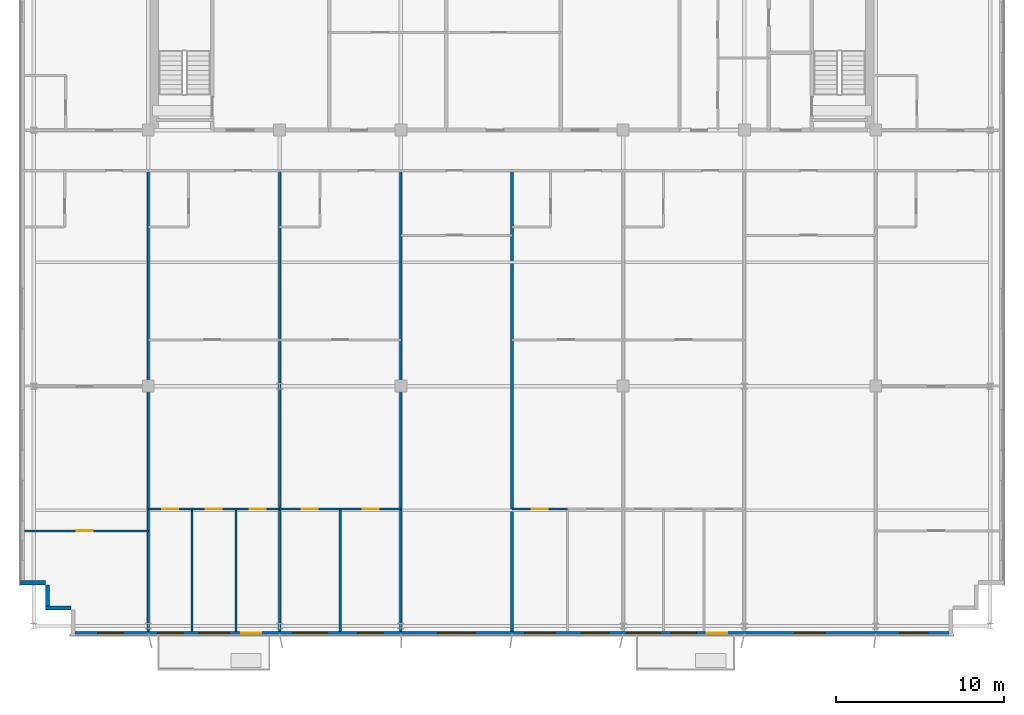
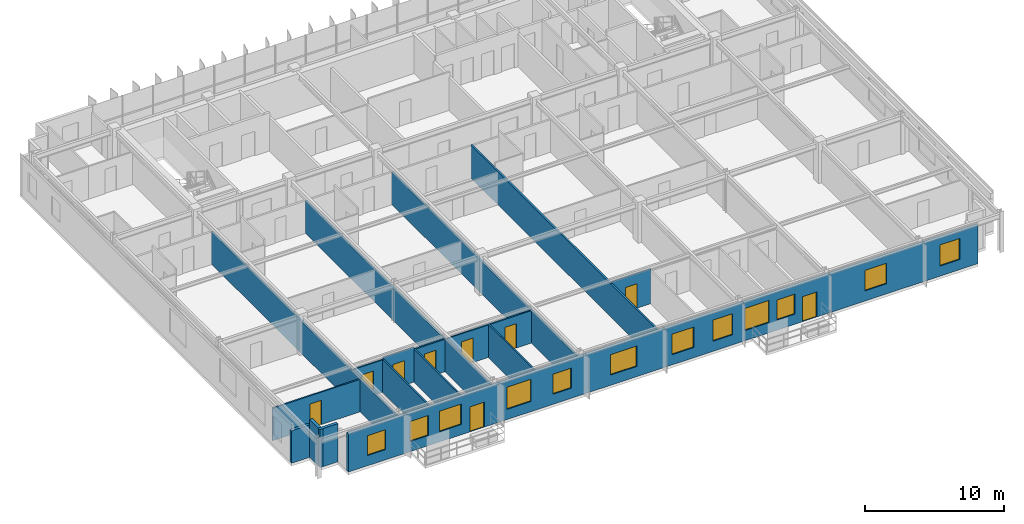
# One storey, part 16 of 23: 18 walls, 12 windows, 9 doors, 21 openings.
"""IFC4 building model written with IfcOpenShell, lengths in metres."""

from ifc_helpers import new_model, si_unit, direction, frame, frame_2d, origin, place, context, subcontext, project, spatial, rectangle, extrude, source, transform, mapped, material, layer, layer_set, type_object, element, fill, save


model = new_model("IFC4")

# Units and contexts
model_context = context("Model", 3, precision=1e-05, world=origin(), true_north=direction((0.0, 1.0)))
body_context = subcontext(model_context, "Body", "Model", "MODEL_VIEW")
ifc_project = project(units=[si_unit("LENGTHUNIT", "METRE"), si_unit("AREAUNIT", "SQUARE_METRE"), si_unit("VOLUMEUNIT", "CUBIC_METRE"), si_unit("PLANEANGLEUNIT", "RADIAN"), si_unit("MASSUNIT", "GRAM", prefix="KILO")], contexts=[model_context])

# Site, building, storey
site_placement = place(None, origin())
site = spatial("IfcSite", under=ifc_project, at=site_placement, CompositionType="ELEMENT")
building_placement = place(site_placement, origin())
building = spatial("IfcBuilding", under=site, at=building_placement, Name="Trelvane Seafront Commons", CompositionType="ELEMENT")
storey_placement = place(building_placement, frame((0.0, 0.0, 226.5)))
storey = spatial("IfcBuildingStorey", under=building, at=storey_placement, Name="L59", CompositionType="ELEMENT", Elevation=226.5)

# Walls
ifc_material_1 = material(Name="Precast concrete C40/50", Category="concrete")
ifc_layer_1 = layer(ifc_material_1, 0.239990234375, Name="ARCH-WALL-EXT240")
ifc_layer_set_1 = layer_set([ifc_layer_1], Name="Precast concrete C40/50")
wall_type_1 = type_object("IfcWallType", Name="ARCH-WALL-EXT240", PredefinedType="SOLIDWALL", material=ifc_layer_set_1)
for number, where, z_axis, x_axis, name in (
    (1, (11.0, 5.02001953125, 0.0), (0.0, 0.0, 1.0), (-1.0, 0.0, 0.0), "EW-L59-01185"),
    (2, (9.6201171875, 4.89990234375, 0.0), (0.0, 0.0, 1.0), (0.0, 1.0, 0.0), "EW-L59-01186"),
):
    element("IfcWall", number, at=place(storey_placement, frame(where, z_axis=z_axis, x_axis=x_axis)), inside=storey, type_object=wall_type_1, Name=name, PredefinedType="SOLIDWALL", context=body_context, shape_type="SweptSolid", body=[
        extrude(rectangle(XDim=1.5, YDim=0.239990234375, at=frame_2d((0.75, 0.0))), origin(), (0.0, 0.0, 1.0), 3.360107421875),
    ])
wall_1_placement = place(storey_placement, frame((9.5, 6.52001953125, 0.0), z_axis=(0.0, 0.0, 1.0), x_axis=(-1.0, 0.0, 0.0)))
element("IfcWall", 3, at=wall_1_placement, inside=storey, type_object=wall_type_1, Name="EW-L59-01187", PredefinedType="SOLIDWALL", context=body_context, shape_type="SweptSolid", body=[
    extrude(rectangle(XDim=1.5, YDim=0.239990234375, at=frame_2d((0.75, 0.0))), origin(), (0.0, 0.0, 1.0), 2.860107421875),
])

# Wall, openings, doors, windows
wall_2_placement = place(storey_placement, frame((63.39990234375, 3.52001953125, 0.0), z_axis=(0.0, 0.0, 1.0), x_axis=(-1.0, 0.0, 0.0)))
wall_2 = element("IfcWall", 4, at=wall_2_placement, inside=storey, type_object=wall_type_1, Name="EW-L59-01202", PredefinedType="SOLIDWALL", context=body_context, shape_type="SweptSolid", body=[
    extrude(rectangle(XDim=52.39990234375, YDim=0.239990234375, at=frame_2d((26.199951171875, 0.0))), origin(), (0.0, 0.0, 1.0), 3.360107421875),
])
opening_1_placement = place(wall_2_placement, frame((1.52001953125, 0.0, 0.89990234375)))
opening_1 = element("IfcOpeningElement", 5, at=opening_1_placement, cuts=wall_2, Name="Opening W07", PredefinedType="OPENING", context=body_context, shape_type="SweptSolid", body=[
    extrude(rectangle(XDim=1.64990234375, YDim=1.85009765625, at=frame_2d((0.824951171875, 0.925048828125))), frame((0.0, 0.1298828125, 0.0), z_axis=(0.0, -1.0, 0.0), x_axis=(1.0, 0.0, 0.0)), (0.0, 0.0, 1.0), 0.260009765625),
])
opening_2_placement = place(wall_2_placement, frame((7.60009765625, 0.0, 0.89990234375)))
opening_2 = element("IfcOpeningElement", 6, at=opening_2_placement, cuts=wall_2, Name="Opening W01", PredefinedType="OPENING", context=body_context, shape_type="SweptSolid", body=[
    extrude(rectangle(XDim=1.800048828125, YDim=1.800048828125, at=frame_2d((0.89990234375, 0.89990234375))), frame((0.0, 0.1298828125, 0.0), z_axis=(0.0, -1.0, 0.0), x_axis=(1.0, 0.0, 0.0)), (0.0, 0.0, 1.0), 0.260009765625),
])
opening_3_placement = place(wall_2_placement, frame((13.419921875, 0.0, 0.0)))
opening_3 = element("IfcOpeningElement", 7, at=opening_3_placement, cuts=wall_2, Name="Opening BD-L59-124", PredefinedType="OPENING", context=body_context, shape_type="SweptSolid", body=[
    extrude(rectangle(XDim=1.199951171875, YDim=2.199951171875, at=frame_2d((0.60009765625, 1.10009765625))), frame((0.0, 0.1298828125, 0.0), z_axis=(0.0, -1.0, 0.0), x_axis=(1.0, 0.0, 0.0)), (0.0, 0.0, 1.0), 0.260009765625),
])
opening_4_placement = place(wall_2_placement, frame((15.25, 0.0, 0.89990234375)))
opening_4 = element("IfcOpeningElement", 8, at=opening_4_placement, cuts=wall_2, Name="Opening W03", PredefinedType="OPENING", context=body_context, shape_type="SweptSolid", body=[
    extrude(rectangle(XDim=1.5, YDim=1.75, at=frame_2d((0.75, 0.875))), frame((0.0, 0.1298828125, 0.0), z_axis=(0.0, -1.0, 0.0), x_axis=(1.0, 0.0, 0.0)), (0.0, 0.0, 1.0), 0.260009765625),
])
opening_5_placement = place(wall_2_placement, frame((17.39990234375, 0.0, 0.89990234375)))
opening_5 = element("IfcOpeningElement", 9, at=opening_5_placement, cuts=wall_2, Name="Opening W06", PredefinedType="OPENING", context=body_context, shape_type="SweptSolid", body=[
    extrude(rectangle(XDim=2.0, YDim=1.949951171875, at=frame_2d((1.0, 0.97509765625))), frame((0.0, 0.1298828125, 0.0), z_axis=(0.0, -1.0, 0.0), x_axis=(1.0, 0.0, 0.0)), (0.0, 0.0, 1.0), 0.260009765625),
])
opening_6_placement = place(wall_2_placement, frame((20.425048828125, 0.0, 0.89990234375)))
opening_6 = element("IfcOpeningElement", 10, at=opening_6_placement, cuts=wall_2, Name="Opening W07", PredefinedType="OPENING", context=body_context, shape_type="SweptSolid", body=[
    extrude(rectangle(XDim=1.64990234375, YDim=1.85009765625, at=frame_2d((0.824951171875, 0.925048828125))), frame((0.0, 0.1298828125, 0.0), z_axis=(0.0, -1.0, 0.0), x_axis=(1.0, 0.0, 0.0)), (0.0, 0.0, 1.0), 0.260009765625),
])
opening_7_placement = place(wall_2_placement, frame((23.64990234375, 0.0, 0.89990234375)))
opening_7 = element("IfcOpeningElement", 11, at=opening_7_placement, cuts=wall_2, Name="Opening W01", PredefinedType="OPENING", context=body_context, shape_type="SweptSolid", body=[
    extrude(rectangle(XDim=1.800048828125, YDim=1.800048828125, at=frame_2d((0.89990234375, 0.89990234375))), frame((0.0, 0.1298828125, 0.0), z_axis=(0.0, -1.0, 0.0), x_axis=(1.0, 0.0, 0.0)), (0.0, 0.0, 1.0), 0.260009765625),
])
opening_8_placement = place(wall_2_placement, frame((28.39990234375, 0.0, 0.89990234375)))
opening_8 = element("IfcOpeningElement", 12, at=opening_8_placement, cuts=wall_2, Name="Opening W02", PredefinedType="OPENING", context=body_context, shape_type="SweptSolid", body=[
    extrude(rectangle(XDim=2.199951171875, YDim=1.800048828125, at=frame_2d((1.10009765625, 0.89990234375))), frame((0.0, 0.1298828125, 0.0), z_axis=(0.0, -1.0, 0.0), x_axis=(1.0, 0.0, 0.0)), (0.0, 0.0, 1.0), 0.260009765625),
])
opening_9_placement = place(wall_2_placement, frame((33.85009765625, 0.0, 0.89990234375)))
opening_9 = element("IfcOpeningElement", 13, at=opening_9_placement, cuts=wall_2, Name="Opening W03", PredefinedType="OPENING", context=body_context, shape_type="SweptSolid", body=[
    extrude(rectangle(XDim=1.5, YDim=1.75, at=frame_2d((0.75, 0.875))), frame((0.0, 0.1298828125, 0.0), z_axis=(0.0, -1.0, 0.0), x_axis=(1.0, 0.0, 0.0)), (0.0, 0.0, 1.0), 0.260009765625),
])
opening_10_placement = place(wall_2_placement, frame((37.199951171875, 0.0, 0.89990234375)))
opening_10 = element("IfcOpeningElement", 14, at=opening_10_placement, cuts=wall_2, Name="Opening W06", PredefinedType="OPENING", context=body_context, shape_type="SweptSolid", body=[
    extrude(rectangle(XDim=2.0, YDim=1.949951171875, at=frame_2d((1.0, 0.97509765625))), frame((0.0, 0.1298828125, 0.0), z_axis=(0.0, -1.0, 0.0), x_axis=(1.0, 0.0, 0.0)), (0.0, 0.0, 1.0), 0.260009765625),
])
opening_11_placement = place(wall_2_placement, frame((41.090087890625, 0.0, 0.0)))
opening_11 = element("IfcOpeningElement", 15, at=opening_11_placement, cuts=wall_2, Name="Opening BD-L59-125", PredefinedType="OPENING", context=body_context, shape_type="SweptSolid", body=[
    extrude(rectangle(XDim=1.199951171875, YDim=2.199951171875, at=frame_2d((0.60009765625, 1.10009765625))), frame((0.0, 0.1298828125, 0.0), z_axis=(0.0, -1.0, 0.0), x_axis=(1.0, 0.0, 0.0)), (0.0, 0.0, 1.0), 0.260009765625),
])
opening_12_placement = place(wall_2_placement, frame((43.0, 0.0, 0.89990234375)))
opening_12 = element("IfcOpeningElement", 16, at=opening_12_placement, cuts=wall_2, Name="Opening W01", PredefinedType="OPENING", context=body_context, shape_type="SweptSolid", body=[
    extrude(rectangle(XDim=1.800048828125, YDim=1.800048828125, at=frame_2d((0.89990234375, 0.89990234375))), frame((0.0, 0.1298828125, 0.0), z_axis=(0.0, -1.0, 0.0), x_axis=(1.0, 0.0, 0.0)), (0.0, 0.0, 1.0), 0.260009765625),
])
opening_13_placement = place(wall_2_placement, frame((45.75, 0.0, 0.89990234375)))
opening_13 = element("IfcOpeningElement", 17, at=opening_13_placement, cuts=wall_2, Name="Opening W03", PredefinedType="OPENING", context=body_context, shape_type="SweptSolid", body=[
    extrude(rectangle(XDim=1.5, YDim=1.75, at=frame_2d((0.75, 0.875))), frame((0.0, 0.1298828125, 0.0), z_axis=(0.0, -1.0, 0.0), x_axis=(1.0, 0.0, 0.0)), (0.0, 0.0, 1.0), 0.260009765625),
])
opening_14_placement = place(wall_2_placement, frame((49.304931640625, 0.0, 0.89990234375)))
opening_14 = element("IfcOpeningElement", 18, at=opening_14_placement, cuts=wall_2, Name="Opening W03", PredefinedType="OPENING", context=body_context, shape_type="SweptSolid", body=[
    extrude(rectangle(XDim=1.5, YDim=1.75, at=frame_2d((0.75, 0.875))), frame((0.0, 0.1298828125, 0.0), z_axis=(0.0, -1.0, 0.0), x_axis=(1.0, 0.0, 0.0)), (0.0, 0.0, 1.0), 0.260009765625),
])
ifc_material_2 = material(Name="Powder-coated aluminium frame", Category="aluminium")
door_type_1 = type_object("IfcDoorType", Name="ARCH-DR-BAL1200", OperationType="NOTDEFINED", PredefinedType="DOOR", material=ifc_material_2)
shared_shape_1 = source(origin(), body_context, "Body", "SweptSolid", [
    extrude(rectangle(XDim=1.199951171875, YDim=2.199951171875, at=frame_2d((0.60009765625, 1.10009765625))), frame((0.0, 0.02490234375, 0.0), z_axis=(0.0, -1.0, 0.0), x_axis=(1.0, 0.0, 0.0)), (0.0, 0.0, 1.0), 0.050048828125),
])
door_1_placement = place(opening_3_placement, origin())
door_1 = element("IfcDoor", 19, at=door_1_placement, inside=storey, type_object=door_type_1, Name="L59 Balcony Terrace Access Door", OperationType="SINGLE_SWING_LEFT", OverallHeight=2.199951171875, OverallWidth=1.199951171875, PredefinedType="DOOR", context=body_context, shape_type="MappedRepresentation", body=[
    mapped(shared_shape_1, transform((0.0, 0.0, 0.0), x_axis=(1.0, 0.0, 0.0), y_axis=(0.0, 1.0, 0.0), z_axis=(0.0, 0.0, 1.0), scale=1.0)),
])
fill(opening_3, door_1)
door_2_placement = place(opening_11_placement, origin())
door_2 = element("IfcDoor", 20, at=door_2_placement, inside=storey, type_object=door_type_1, Name="L59 Balcony Terrace Access Door", OperationType="SINGLE_SWING_LEFT", OverallHeight=2.199951171875, OverallWidth=1.199951171875, PredefinedType="DOOR", context=body_context, shape_type="MappedRepresentation", body=[
    mapped(shared_shape_1, transform((0.0, 0.0, 0.0), x_axis=(1.0, 0.0, 0.0), y_axis=(0.0, 1.0, 0.0), z_axis=(0.0, 0.0, 1.0), scale=1.0)),
])
fill(opening_11, door_2)
ifc_material_3 = material(Name="Low-E coastal double glazing", Category="glass")
window_type_1 = type_object("IfcWindowType", Name="ARCH-WIN-W02", PartitioningType="SINGLE_PANEL", PredefinedType="WINDOW", material=ifc_material_3)
shared_shape_2 = source(origin(), body_context, "Body", "SweptSolid", [
    extrude(rectangle(XDim=2.199951171875, YDim=1.800048828125, at=frame_2d((1.10009765625, 0.89990234375))), frame((0.0, 0.030029296875, 0.0), z_axis=(0.0, -1.0, 0.0), x_axis=(1.0, 0.0, 0.0)), (0.0, 0.0, 1.0), 0.06005859375),
])
window_1_placement = place(opening_8_placement, origin())
window_1 = element("IfcWindow", 21, at=window_1_placement, inside=storey, type_object=window_type_1, Name="WIN-L59-01457", OverallHeight=1.800048828125, OverallWidth=2.199951171875, PartitioningType="SINGLE_PANEL", PredefinedType="WINDOW", context=body_context, shape_type="MappedRepresentation", body=[
    mapped(shared_shape_2, transform((0.0, 0.0, 0.0), x_axis=(1.0, 0.0, 0.0), y_axis=(0.0, 1.0, 0.0), z_axis=(0.0, 0.0, 1.0), scale=1.0)),
])
fill(opening_8, window_1)
window_type_2 = type_object("IfcWindowType", Name="ARCH-WIN-W03", PartitioningType="SINGLE_PANEL", PredefinedType="WINDOW", material=ifc_material_3)
shared_shape_3 = source(origin(), body_context, "Body", "SweptSolid", [
    extrude(rectangle(XDim=1.5, YDim=1.75, at=frame_2d((0.75, 0.875))), frame((0.0, 0.030029296875, 0.0), z_axis=(0.0, -1.0, 0.0), x_axis=(1.0, 0.0, 0.0)), (0.0, 0.0, 1.0), 0.06005859375),
])
window_2_placement = place(opening_4_placement, origin())
window_2 = element("IfcWindow", 22, at=window_2_placement, inside=storey, type_object=window_type_2, Name="WIN-L59-01453", OverallHeight=1.75, OverallWidth=1.5, PartitioningType="SINGLE_PANEL", PredefinedType="WINDOW", context=body_context, shape_type="MappedRepresentation", body=[
    mapped(shared_shape_3, transform((0.0, 0.0, 0.0), x_axis=(1.0, 0.0, 0.0), y_axis=(0.0, 1.0, 0.0), z_axis=(0.0, 0.0, 1.0), scale=1.0)),
])
fill(opening_4, window_2)
window_3_placement = place(opening_9_placement, origin())
window_3 = element("IfcWindow", 23, at=window_3_placement, inside=storey, type_object=window_type_2, Name="WIN-L59-01458", OverallHeight=1.75, OverallWidth=1.5, PartitioningType="SINGLE_PANEL", PredefinedType="WINDOW", context=body_context, shape_type="MappedRepresentation", body=[
    mapped(shared_shape_3, transform((0.0, 0.0, 0.0), x_axis=(1.0, 0.0, 0.0), y_axis=(0.0, 1.0, 0.0), z_axis=(0.0, 0.0, 1.0), scale=1.0)),
])
fill(opening_9, window_3)
window_4_placement = place(opening_13_placement, origin())
window_4 = element("IfcWindow", 24, at=window_4_placement, inside=storey, type_object=window_type_2, Name="WIN-L59-01461", OverallHeight=1.75, OverallWidth=1.5, PartitioningType="SINGLE_PANEL", PredefinedType="WINDOW", context=body_context, shape_type="MappedRepresentation", body=[
    mapped(shared_shape_3, transform((0.0, 0.0, 0.0), x_axis=(1.0, 0.0, 0.0), y_axis=(0.0, 1.0, 0.0), z_axis=(0.0, 0.0, 1.0), scale=1.0)),
])
fill(opening_13, window_4)
window_5_placement = place(opening_14_placement, origin())
window_5 = element("IfcWindow", 25, at=window_5_placement, inside=storey, type_object=window_type_2, Name="WIN-L59-01462", OverallHeight=1.75, OverallWidth=1.5, PartitioningType="SINGLE_PANEL", PredefinedType="WINDOW", context=body_context, shape_type="MappedRepresentation", body=[
    mapped(shared_shape_3, transform((0.0, 0.0, 0.0), x_axis=(1.0, 0.0, 0.0), y_axis=(0.0, 1.0, 0.0), z_axis=(0.0, 0.0, 1.0), scale=1.0)),
])
fill(opening_14, window_5)
window_type_3 = type_object("IfcWindowType", Name="ARCH-WIN-W06", PartitioningType="SINGLE_PANEL", PredefinedType="WINDOW", material=ifc_material_3)
shared_shape_4 = source(origin(), body_context, "Body", "SweptSolid", [
    extrude(rectangle(XDim=2.0, YDim=1.949951171875, at=frame_2d((1.0, 0.97509765625))), frame((0.0, 0.030029296875, 0.0), z_axis=(0.0, -1.0, 0.0), x_axis=(1.0, 0.0, 0.0)), (0.0, 0.0, 1.0), 0.06005859375),
])
window_6_placement = place(opening_5_placement, origin())
window_6 = element("IfcWindow", 26, at=window_6_placement, inside=storey, type_object=window_type_3, Name="WIN-L59-01454", OverallHeight=1.949951171875, OverallWidth=2.0, PartitioningType="SINGLE_PANEL", PredefinedType="WINDOW", context=body_context, shape_type="MappedRepresentation", body=[
    mapped(shared_shape_4, transform((0.0, 0.0, 0.0), x_axis=(1.0, 0.0, 0.0), y_axis=(0.0, 1.0, 0.0), z_axis=(0.0, 0.0, 1.0), scale=1.0)),
])
fill(opening_5, window_6)
window_7_placement = place(opening_10_placement, origin())
window_7 = element("IfcWindow", 27, at=window_7_placement, inside=storey, type_object=window_type_3, Name="WIN-L59-01459", OverallHeight=1.949951171875, OverallWidth=2.0, PartitioningType="SINGLE_PANEL", PredefinedType="WINDOW", context=body_context, shape_type="MappedRepresentation", body=[
    mapped(shared_shape_4, transform((0.0, 0.0, 0.0), x_axis=(1.0, 0.0, 0.0), y_axis=(0.0, 1.0, 0.0), z_axis=(0.0, 0.0, 1.0), scale=1.0)),
])
fill(opening_10, window_7)
window_type_4 = type_object("IfcWindowType", Name="ARCH-WIN-W01", PartitioningType="SINGLE_PANEL", PredefinedType="WINDOW", material=ifc_material_3)
shared_shape_5 = source(origin(), body_context, "Body", "SweptSolid", [
    extrude(rectangle(XDim=1.800048828125, YDim=1.800048828125, at=frame_2d((0.89990234375, 0.89990234375))), frame((0.0, 0.030029296875, 0.0), z_axis=(0.0, -1.0, 0.0), x_axis=(1.0, 0.0, 0.0)), (0.0, 0.0, 1.0), 0.06005859375),
])
window_8_placement = place(opening_2_placement, origin())
window_8 = element("IfcWindow", 28, at=window_8_placement, inside=storey, type_object=window_type_4, Name="WIN-L59-01452", OverallHeight=1.800048828125, OverallWidth=1.800048828125, PartitioningType="SINGLE_PANEL", PredefinedType="WINDOW", context=body_context, shape_type="MappedRepresentation", body=[
    mapped(shared_shape_5, transform((0.0, 0.0, 0.0), x_axis=(1.0, 0.0, 0.0), y_axis=(0.0, 1.0, 0.0), z_axis=(0.0, 0.0, 1.0), scale=1.0)),
])
fill(opening_2, window_8)
window_9_placement = place(opening_7_placement, origin())
window_9 = element("IfcWindow", 29, at=window_9_placement, inside=storey, type_object=window_type_4, Name="WIN-L59-01456", OverallHeight=1.800048828125, OverallWidth=1.800048828125, PartitioningType="SINGLE_PANEL", PredefinedType="WINDOW", context=body_context, shape_type="MappedRepresentation", body=[
    mapped(shared_shape_5, transform((0.0, 0.0, 0.0), x_axis=(1.0, 0.0, 0.0), y_axis=(0.0, 1.0, 0.0), z_axis=(0.0, 0.0, 1.0), scale=1.0)),
])
fill(opening_7, window_9)
window_10_placement = place(opening_12_placement, origin())
window_10 = element("IfcWindow", 30, at=window_10_placement, inside=storey, type_object=window_type_4, Name="WIN-L59-01460", OverallHeight=1.800048828125, OverallWidth=1.800048828125, PartitioningType="SINGLE_PANEL", PredefinedType="WINDOW", context=body_context, shape_type="MappedRepresentation", body=[
    mapped(shared_shape_5, transform((0.0, 0.0, 0.0), x_axis=(1.0, 0.0, 0.0), y_axis=(0.0, 1.0, 0.0), z_axis=(0.0, 0.0, 1.0), scale=1.0)),
])
fill(opening_12, window_10)
window_type_5 = type_object("IfcWindowType", Name="ARCH-WIN-W07", PartitioningType="SINGLE_PANEL", PredefinedType="WINDOW", material=ifc_material_3)
shared_shape_6 = source(origin(), body_context, "Body", "SweptSolid", [
    extrude(rectangle(XDim=1.64990234375, YDim=1.85009765625, at=frame_2d((0.824951171875, 0.925048828125))), frame((0.0, 0.030029296875, 0.0), z_axis=(0.0, -1.0, 0.0), x_axis=(1.0, 0.0, 0.0)), (0.0, 0.0, 1.0), 0.06005859375),
])
window_11_placement = place(opening_1_placement, origin())
window_11 = element("IfcWindow", 31, at=window_11_placement, inside=storey, type_object=window_type_5, Name="WIN-L59-01451", OverallHeight=1.85009765625, OverallWidth=1.64990234375, PartitioningType="SINGLE_PANEL", PredefinedType="WINDOW", context=body_context, shape_type="MappedRepresentation", body=[
    mapped(shared_shape_6, transform((0.0, 0.0, 0.0), x_axis=(1.0, 0.0, 0.0), y_axis=(0.0, 1.0, 0.0), z_axis=(0.0, 0.0, 1.0), scale=1.0)),
])
fill(opening_1, window_11)
window_12_placement = place(opening_6_placement, origin())
window_12 = element("IfcWindow", 32, at=window_12_placement, inside=storey, type_object=window_type_5, Name="WIN-L59-01455", OverallHeight=1.85009765625, OverallWidth=1.64990234375, PartitioningType="SINGLE_PANEL", PredefinedType="WINDOW", context=body_context, shape_type="MappedRepresentation", body=[
    mapped(shared_shape_6, transform((0.0, 0.0, 0.0), x_axis=(1.0, 0.0, 0.0), y_axis=(0.0, 1.0, 0.0), z_axis=(0.0, 0.0, 1.0), scale=1.0)),
])
fill(opening_6, window_12)

# Wall, opening, door
ifc_material_4 = material(Name="Gypsum Drywall Acoustic Partition")
ifc_layer_2 = layer(ifc_material_4, 0.1201171875, Name="ARCH-WALL-PART120")
ifc_layer_set_2 = layer_set([ifc_layer_2], Name="Gypsum Drywall Acoustic Partition")
wall_type_2 = type_object("IfcWallType", Name="ARCH-WALL-PART120", PredefinedType="PARTITIONING", material=ifc_layer_set_2)
wall_3_placement = place(storey_placement, frame((8.239990234375, 9.60009765625, 0.0), z_axis=(0.0, 0.0, 1.0), x_axis=(1.0, 0.0, 0.0)))
wall_3 = element("IfcWall", 33, at=wall_3_placement, inside=storey, type_object=wall_type_2, Name="W-L59-U1-YM-1-061", PredefinedType="PARTITIONING", context=body_context, shape_type="SweptSolid", body=[
    extrude(rectangle(XDim=7.360107421875, YDim=0.1201171875, at=frame_2d((3.68017578125, 0.0))), origin(), (0.0, 0.0, 1.0), 2.860107421875),
])
opening_15_placement = place(wall_3_placement, frame((3.114013671875, 0.0, 0.0)))
opening_15 = element("IfcOpeningElement", 34, at=opening_15_placement, cuts=wall_3, Name="Opening D-L59-36", PredefinedType="OPENING", context=body_context, shape_type="SweptSolid", body=[
    extrude(rectangle(XDim=0.949951171875, YDim=2.14990234375, at=frame_2d((0.47509765625, 1.074951171875))), frame((0.0, 0.070068359375, 0.0), z_axis=(0.0, -1.0, 0.0), x_axis=(1.0, 0.0, 0.0)), (0.0, 0.0, 1.0), 0.14013671875),
])
ifc_material_5 = material(Name="Acoustic timber door leaf", Category="wood")
door_type_2 = type_object("IfcDoorType", Name="ARCH-DR-INT950", OperationType="NOTDEFINED", PredefinedType="DOOR", material=ifc_material_5)
shared_shape_7 = source(origin(), body_context, "Body", "SweptSolid", [
    extrude(rectangle(XDim=0.949951171875, YDim=2.14990234375, at=frame_2d((0.47509765625, 1.074951171875))), frame((0.0, 0.02490234375, 0.0), z_axis=(0.0, -1.0, 0.0), x_axis=(1.0, 0.0, 0.0)), (0.0, 0.0, 1.0), 0.050048828125),
])
door_3_placement = place(opening_15_placement, origin())
door_3 = element("IfcDoor", 35, at=door_3_placement, inside=storey, type_object=door_type_2, Name="L59 Door 36", OperationType="SINGLE_SWING_RIGHT", OverallHeight=2.14990234375, OverallWidth=0.949951171875, PredefinedType="DOOR", context=body_context, shape_type="MappedRepresentation", body=[
    mapped(shared_shape_7, transform((0.0, 0.0, 0.0), x_axis=(1.0, 0.0, 0.0), y_axis=(0.0, 1.0, 0.0), z_axis=(0.0, 0.0, 1.0), scale=1.0)),
])
fill(opening_15, door_3)

wall_4_placement = place(storey_placement, frame((15.60009765625, 10.89990234375, 0.0), z_axis=(0.0, 0.0, 1.0), x_axis=(1.0, 0.0, 0.0)))
wall_4 = element("IfcWall", 36, at=wall_4_placement, inside=storey, type_object=wall_type_2, Name="W-L59-U2-YM-1-066", PredefinedType="PARTITIONING", context=body_context, shape_type="SweptSolid", body=[
    extrude(rectangle(XDim=2.599853515625, YDim=0.1201171875, at=frame_2d((1.2998046875, 0.0))), origin(), (0.0, 0.0, 1.0), 2.860107421875),
])
opening_16_placement = place(wall_4_placement, frame((0.824951171875, 0.0, 0.0)))
opening_16 = element("IfcOpeningElement", 37, at=opening_16_placement, cuts=wall_4, Name="Opening D-L59-40", PredefinedType="OPENING", context=body_context, shape_type="SweptSolid", body=[
    extrude(rectangle(XDim=0.949951171875, YDim=2.14990234375, at=frame_2d((0.47509765625, 1.074951171875))), frame((0.0, 0.070068359375, 0.0), z_axis=(0.0, -1.0, 0.0), x_axis=(1.0, 0.0, 0.0)), (0.0, 0.0, 1.0), 0.14013671875),
])
door_4_placement = place(opening_16_placement, origin())
door_4 = element("IfcDoor", 38, at=door_4_placement, inside=storey, type_object=door_type_2, Name="L59 Door 40", OperationType="SINGLE_SWING_RIGHT", OverallHeight=2.14990234375, OverallWidth=0.949951171875, PredefinedType="DOOR", context=body_context, shape_type="MappedRepresentation", body=[
    mapped(shared_shape_7, transform((0.0, 0.0, 0.0), x_axis=(1.0, 0.0, 0.0), y_axis=(0.0, 1.0, 0.0), z_axis=(0.0, 0.0, 1.0), scale=1.0)),
])
fill(opening_16, door_4)

wall_5_placement = place(storey_placement, frame((18.199951171875, 10.89990234375, 0.0), z_axis=(0.0, 0.0, 1.0), x_axis=(1.0, 0.0, 0.0)))
wall_5 = element("IfcWall", 39, at=wall_5_placement, inside=storey, type_object=wall_type_2, Name="W-L59-U2-YM-2-067", PredefinedType="PARTITIONING", context=body_context, shape_type="SweptSolid", body=[
    extrude(rectangle(XDim=2.60009765625, YDim=0.1201171875, at=frame_2d((1.300048828125, 0.0))), origin(), (0.0, 0.0, 1.0), 3.06005859375),
])
opening_17_placement = place(wall_5_placement, frame((0.824951171875, 0.0, 0.0)))
opening_17 = element("IfcOpeningElement", 40, at=opening_17_placement, cuts=wall_5, Name="Opening D-L59-41", PredefinedType="OPENING", context=body_context, shape_type="SweptSolid", body=[
    extrude(rectangle(XDim=0.949951171875, YDim=2.14990234375, at=frame_2d((0.47509765625, 1.074951171875))), frame((0.0, 0.070068359375, 0.0), z_axis=(0.0, -1.0, 0.0), x_axis=(1.0, 0.0, 0.0)), (0.0, 0.0, 1.0), 0.14013671875),
])
door_5_placement = place(opening_17_placement, origin())
door_5 = element("IfcDoor", 41, at=door_5_placement, inside=storey, type_object=door_type_2, Name="L59 Door 41", OperationType="SINGLE_SWING_LEFT", OverallHeight=2.14990234375, OverallWidth=0.949951171875, PredefinedType="DOOR", context=body_context, shape_type="MappedRepresentation", body=[
    mapped(shared_shape_7, transform((0.0, 0.0, 0.0), x_axis=(1.0, 0.0, 0.0), y_axis=(0.0, 1.0, 0.0), z_axis=(0.0, 0.0, 1.0), scale=1.0)),
])
fill(opening_17, door_5)

# Wall
wall_6_placement = place(storey_placement, frame((18.199951171875, 3.625, 0.0), z_axis=(0.0, 0.0, 1.0), x_axis=(0.0, 1.0, 0.0)))
element("IfcWall", 42, at=wall_6_placement, inside=storey, type_object=wall_type_2, Name="W-L59-U2-BDV-1-068", PredefinedType="PARTITIONING", context=body_context, shape_type="SweptSolid", body=[
    extrude(rectangle(XDim=7.27490234375, YDim=0.1201171875, at=frame_2d((3.637451171875, 0.0))), origin(), (0.0, 0.0, 1.0), 2.909912109375),
])

# Wall, opening, door
wall_7_placement = place(storey_placement, frame((20.800048828125, 10.89990234375, 0.0), z_axis=(0.0, 0.0, 1.0), x_axis=(1.0, 0.0, 0.0)))
wall_7 = element("IfcWall", 43, at=wall_7_placement, inside=storey, type_object=wall_type_2, Name="W-L59-U2-YM-3-069", PredefinedType="PARTITIONING", context=body_context, shape_type="SweptSolid", body=[
    extrude(rectangle(XDim=2.599853515625, YDim=0.1201171875, at=frame_2d((1.2998046875, 0.0))), origin(), (0.0, 0.0, 1.0), 2.860107421875),
])
opening_18_placement = place(wall_7_placement, frame((0.824951171875, 0.0, 0.0)))
opening_18 = element("IfcOpeningElement", 44, at=opening_18_placement, cuts=wall_7, Name="Opening D-L59-42", PredefinedType="OPENING", context=body_context, shape_type="SweptSolid", body=[
    extrude(rectangle(XDim=0.949951171875, YDim=2.14990234375, at=frame_2d((0.47509765625, 1.074951171875))), frame((0.0, 0.070068359375, 0.0), z_axis=(0.0, -1.0, 0.0), x_axis=(1.0, 0.0, 0.0)), (0.0, 0.0, 1.0), 0.14013671875),
])
door_6_placement = place(opening_18_placement, origin())
door_6 = element("IfcDoor", 45, at=door_6_placement, inside=storey, type_object=door_type_2, Name="L59 Door 42", OperationType="SINGLE_SWING_RIGHT", OverallHeight=2.14990234375, OverallWidth=0.949951171875, PredefinedType="DOOR", context=body_context, shape_type="MappedRepresentation", body=[
    mapped(shared_shape_7, transform((0.0, 0.0, 0.0), x_axis=(1.0, 0.0, 0.0), y_axis=(0.0, 1.0, 0.0), z_axis=(0.0, 0.0, 1.0), scale=1.0)),
])
fill(opening_18, door_6)

# Wall
wall_8_placement = place(storey_placement, frame((20.800048828125, 3.625, 0.0), z_axis=(0.0, 0.0, 1.0), x_axis=(0.0, 1.0, 0.0)))
element("IfcWall", 46, at=wall_8_placement, inside=storey, type_object=wall_type_2, Name="W-L59-U2-BDV-2-070", PredefinedType="PARTITIONING", context=body_context, shape_type="SweptSolid", body=[
    extrude(rectangle(XDim=7.27490234375, YDim=0.1201171875, at=frame_2d((3.637451171875, 0.0))), origin(), (0.0, 0.0, 1.0), 2.909912109375),
])

# Wall, opening, door
wall_9_placement = place(storey_placement, frame((23.39990234375, 10.89990234375, 0.0), z_axis=(0.0, 0.0, 1.0), x_axis=(1.0, 0.0, 0.0)))
wall_9 = element("IfcWall", 47, at=wall_9_placement, inside=storey, type_object=wall_type_2, Name="W-L59-U3-YM-1-075", PredefinedType="PARTITIONING", context=body_context, shape_type="SweptSolid", body=[
    extrude(rectangle(XDim=3.60009765625, YDim=0.1201171875, at=frame_2d((1.800048828125, 0.0))), origin(), (0.0, 0.0, 1.0), 2.860107421875),
])
opening_19_placement = place(wall_9_placement, frame((1.324951171875, 0.0, 0.0)))
opening_19 = element("IfcOpeningElement", 48, at=opening_19_placement, cuts=wall_9, Name="Opening D-L59-46", PredefinedType="OPENING", context=body_context, shape_type="SweptSolid", body=[
    extrude(rectangle(XDim=0.949951171875, YDim=2.14990234375, at=frame_2d((0.47509765625, 1.074951171875))), frame((0.0, 0.070068359375, 0.0), z_axis=(0.0, -1.0, 0.0), x_axis=(1.0, 0.0, 0.0)), (0.0, 0.0, 1.0), 0.14013671875),
])
door_7_placement = place(opening_19_placement, origin())
door_7 = element("IfcDoor", 49, at=door_7_placement, inside=storey, type_object=door_type_2, Name="L59 Door 46", OperationType="SINGLE_SWING_RIGHT", OverallHeight=2.14990234375, OverallWidth=0.949951171875, PredefinedType="DOOR", context=body_context, shape_type="MappedRepresentation", body=[
    mapped(shared_shape_7, transform((0.0, 0.0, 0.0), x_axis=(1.0, 0.0, 0.0), y_axis=(0.0, 1.0, 0.0), z_axis=(0.0, 0.0, 1.0), scale=1.0)),
])
fill(opening_19, door_7)

wall_10_placement = place(storey_placement, frame((27.0, 10.89990234375, 0.0), z_axis=(0.0, 0.0, 1.0), x_axis=(1.0, 0.0, 0.0)))
wall_10 = element("IfcWall", 50, at=wall_10_placement, inside=storey, type_object=wall_type_2, Name="W-L59-U3-YM-2-076", PredefinedType="PARTITIONING", context=body_context, shape_type="SweptSolid", body=[
    extrude(rectangle(XDim=3.60009765625, YDim=0.1201171875, at=frame_2d((1.800048828125, 0.0))), origin(), (0.0, 0.0, 1.0), 2.860107421875),
])
opening_20_placement = place(wall_10_placement, frame((1.324951171875, 0.0, 0.0)))
opening_20 = element("IfcOpeningElement", 51, at=opening_20_placement, cuts=wall_10, Name="Opening D-L59-47", PredefinedType="OPENING", context=body_context, shape_type="SweptSolid", body=[
    extrude(rectangle(XDim=0.949951171875, YDim=2.14990234375, at=frame_2d((0.47509765625, 1.074951171875))), frame((0.0, 0.070068359375, 0.0), z_axis=(0.0, -1.0, 0.0), x_axis=(1.0, 0.0, 0.0)), (0.0, 0.0, 1.0), 0.14013671875),
])
door_8_placement = place(opening_20_placement, origin())
door_8 = element("IfcDoor", 52, at=door_8_placement, inside=storey, type_object=door_type_2, Name="L59 Door 47", OperationType="SINGLE_SWING_LEFT", OverallHeight=2.14990234375, OverallWidth=0.949951171875, PredefinedType="DOOR", context=body_context, shape_type="MappedRepresentation", body=[
    mapped(shared_shape_7, transform((0.0, 0.0, 0.0), x_axis=(1.0, 0.0, 0.0), y_axis=(0.0, 1.0, 0.0), z_axis=(0.0, 0.0, 1.0), scale=1.0)),
])
fill(opening_20, door_8)

# Wall
wall_11_placement = place(storey_placement, frame((27.0, 3.625, 0.0), z_axis=(0.0, 0.0, 1.0), x_axis=(0.0, 1.0, 0.0)))
element("IfcWall", 53, at=wall_11_placement, inside=storey, type_object=wall_type_2, Name="W-L59-U3-BDV-1-077", PredefinedType="PARTITIONING", context=body_context, shape_type="SweptSolid", body=[
    extrude(rectangle(XDim=7.27490234375, YDim=0.1201171875, at=frame_2d((3.637451171875, 0.0))), origin(), (0.0, 0.0, 1.0), 2.909912109375),
])

# Wall, opening, door
wall_12_placement = place(storey_placement, frame((37.199951171875, 10.89990234375, 0.0), z_axis=(0.0, 0.0, 1.0), x_axis=(1.0, 0.0, 0.0)))
wall_12 = element("IfcWall", 54, at=wall_12_placement, inside=storey, type_object=wall_type_2, Name="W-L59-U5-YM-1-084", PredefinedType="PARTITIONING", context=body_context, shape_type="SweptSolid", body=[
    extrude(rectangle(XDim=3.300048828125, YDim=0.1201171875, at=frame_2d((1.64990234375, 0.0))), origin(), (0.0, 0.0, 1.0), 3.06005859375),
])
opening_21_placement = place(wall_12_placement, frame((1.175048828125, 0.0, 0.0)))
opening_21 = element("IfcOpeningElement", 55, at=opening_21_placement, cuts=wall_12, Name="Opening D-L59-53", PredefinedType="OPENING", context=body_context, shape_type="SweptSolid", body=[
    extrude(rectangle(XDim=0.949951171875, YDim=2.14990234375, at=frame_2d((0.47509765625, 1.074951171875))), frame((0.0, 0.070068359375, 0.0), z_axis=(0.0, -1.0, 0.0), x_axis=(1.0, 0.0, 0.0)), (0.0, 0.0, 1.0), 0.14013671875),
])
door_9_placement = place(opening_21_placement, origin())
door_9 = element("IfcDoor", 56, at=door_9_placement, inside=storey, type_object=door_type_2, Name="L59 Door 53", OperationType="SINGLE_SWING_LEFT", OverallHeight=2.14990234375, OverallWidth=0.949951171875, PredefinedType="DOOR", context=body_context, shape_type="MappedRepresentation", body=[
    mapped(shared_shape_7, transform((0.0, 0.0, 0.0), x_axis=(1.0, 0.0, 0.0), y_axis=(0.0, 1.0, 0.0), z_axis=(0.0, 0.0, 1.0), scale=1.0)),
])
fill(opening_21, door_9)

# Walls
ifc_layer_3 = layer(ifc_material_4, 0.14990234375, Name="ARCH-WALL-PART150")
ifc_layer_set_3 = layer_set([ifc_layer_3], Name="Gypsum Drywall Acoustic Partition")
wall_type_3 = type_object("IfcWallType", Name="ARCH-WALL-PART150", PredefinedType="PARTITIONING", material=ifc_layer_set_3)
for number, where, z_axis, x_axis, name in (
    (57, (15.60009765625, 3.625, 0.0), (0.0, 0.0, 1.0), (0.0, 1.0, 0.0), "W-L59-PW-1-050"),
    (58, (23.39990234375, 3.625, 0.0), (0.0, 0.0, 1.0), (0.0, 1.0, 0.0), "W-L59-PW-2-051"),
    (59, (30.60009765625, 3.625, 0.0), (0.0, 0.0, 1.0), (0.0, 1.0, 0.0), "W-L59-PW-3-052"),
):
    element("IfcWall", number, at=place(storey_placement, frame(where, z_axis=z_axis, x_axis=x_axis)), inside=storey, type_object=wall_type_3, Name=name, PredefinedType="PARTITIONING", context=body_context, shape_type="SweptSolid", body=[
        extrude(rectangle(XDim=27.375, YDim=0.14990234375, at=frame_2d((13.6875, 0.0))), origin(), (0.0, 0.0, 1.0), 2.860107421875),
    ])
wall_13_placement = place(storey_placement, frame((37.199951171875, 3.625, 0.0), z_axis=(0.0, 0.0, 1.0), x_axis=(0.0, 1.0, 0.0)))
element("IfcWall", 60, at=wall_13_placement, inside=storey, type_object=wall_type_3, Name="W-L59-PW-4-053", PredefinedType="PARTITIONING", context=body_context, shape_type="SweptSolid", body=[
    extrude(rectangle(XDim=27.375, YDim=0.14990234375, at=frame_2d((13.6875, 0.0))), origin(), (0.0, 0.0, 1.0), 2.909912109375),
])

save(model, "model.ifc")
